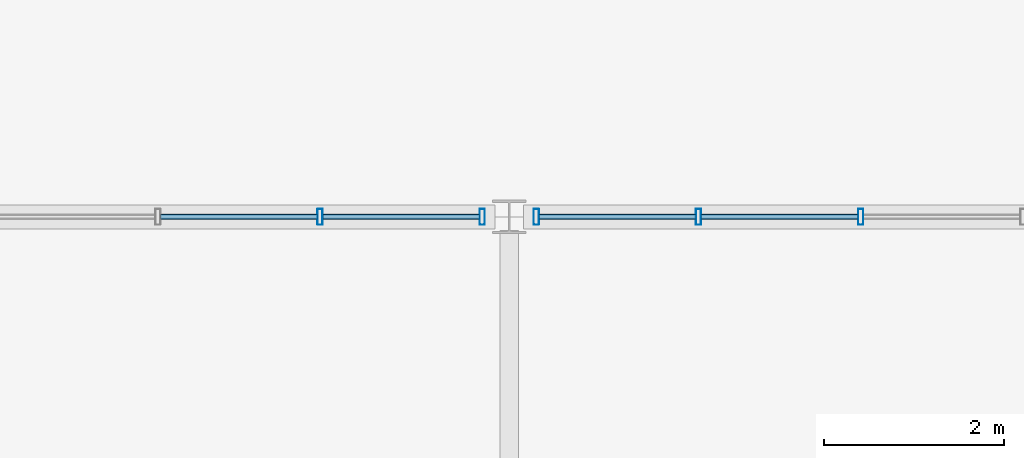
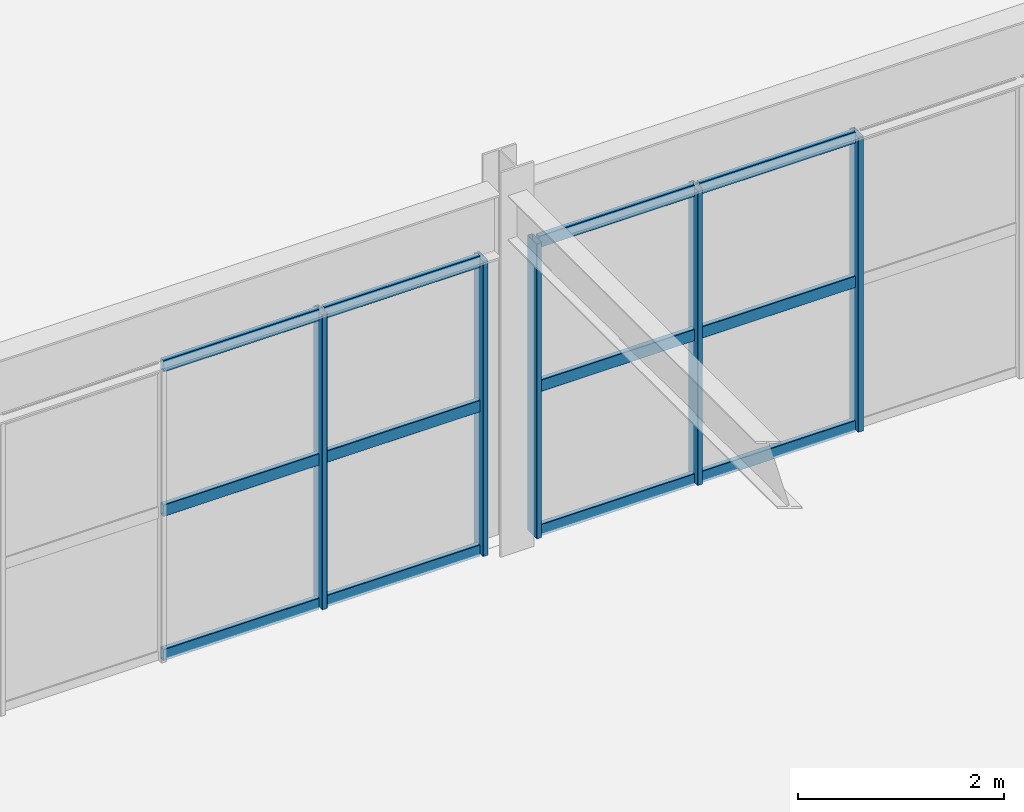
# One storey, part 102 of 170: 17 members, 2 elements without a shape of their own.
"""IFC4 building model written with IfcOpenShell, lengths in metres."""

from ifc_helpers import new_model, si_unit, direction, frame, origin, origin_2d, place, context, subcontext, project, spatial, hollow_rectangle, extrude, material, material_profile, profile_set, type_object, element, aggregate, save


model = new_model("IFC4")

# Units and contexts
model_context = context("Model", 3, precision=1e-05, world=origin(), true_north=direction((0.0, 1.0)))
body_context = subcontext(model_context, "Body", "Model", "MODEL_VIEW")
ifc_project = project(units=[si_unit("LENGTHUNIT", "METRE"), si_unit("AREAUNIT", "SQUARE_METRE"), si_unit("VOLUMEUNIT", "CUBIC_METRE"), si_unit("PLANEANGLEUNIT", "RADIAN"), si_unit("MASSUNIT", "GRAM", prefix="KILO")], contexts=[model_context])

# Site, building, storey
site_placement = place(None, origin())
site = spatial("IfcSite", under=ifc_project, at=site_placement, CompositionType="ELEMENT")
building_placement = place(site_placement, origin())
building = spatial("IfcBuilding", under=site, at=building_placement, Name="Coralgate Yard Interchange", CompositionType="ELEMENT")
storey_placement = place(building_placement, frame((0.0, 0.0, 6.0)))
storey = spatial("IfcBuildingStorey", under=building, at=storey_placement, Name="L01", CompositionType="ELEMENT", Elevation=6.0)

# Curtain wall, members
ifc_material_1 = material(Name="Anodised coastal aluminium and solar-control low-E glass", Category="aluminium")
curtain_wall_type = type_object("IfcCurtainWallType", Name="CW-CW-L01-B", PredefinedType="NOTDEFINED", material=ifc_material_1)
curtain_wall_1_placement = place(storey_placement, origin())
curtain_wall_1 = element("IfcCurtainWall", 1, at=curtain_wall_1_placement, inside=storey, type_object=curtain_wall_type, Name="L01 unitised curtain wall CW-L01-N-11-07", PredefinedType="NOTDEFINED")
ifc_material_2 = material(Name="Anodised coastal aluminium 6063-T6", Category="aluminium")
ifc_material_profile_1 = material_profile(ifc_material_2, hollow_rectangle(XDim=0.06005859375, YDim=0.179931640625, WallThickness=0.00390625, InnerFilletRadius=0.00390625, OuterFilletRadius=0.008056640625, at=origin_2d()), Name="ALU 60x180x4")
ifc_profile_set_1 = profile_set([ifc_material_profile_1], Name="Anodised coastal aluminium 6063-T6")
member_type_1 = type_object("IfcMemberType", Name="MB-MUL-180", PredefinedType="MULLION", material=ifc_profile_set_1)
member_1_placement = place(storey_placement, frame((113.10009765625, 76.800048828125, 0.0), z_axis=(0.0, 0.0, 1.0), x_axis=(1.0, 0.0, 0.0)))
member_1 = element("IfcMember", 2, at=member_1_placement, type_object=member_type_1, Name="CW-L01-N-11-07 vertical mullion 5", PredefinedType="MULLION", context=body_context, shape_type="SweptSolid", body=[
    extrude(hollow_rectangle(XDim=0.06005859375, YDim=0.179931640625, WallThickness=0.00390625, InnerFilletRadius=0.00390625, OuterFilletRadius=0.008056640625, at=origin_2d()), origin(), (0.0, 0.0, 1.0), 3.48779296875),
])
member_2_placement = place(storey_placement, frame((114.89990234375, 76.800048828125, 0.0), z_axis=(0.0, 0.0, 1.0), x_axis=(1.0, 0.0, 0.0)))
member_2 = element("IfcMember", 3, at=member_2_placement, type_object=member_type_1, Name="CW-L01-N-11-07 vertical mullion 6", PredefinedType="MULLION", context=body_context, shape_type="SweptSolid", body=[
    extrude(hollow_rectangle(XDim=0.06005859375, YDim=0.179931640625, WallThickness=0.00390625, InnerFilletRadius=0.00390625, OuterFilletRadius=0.008056640625, at=origin_2d()), origin(), (0.0, 0.0, 1.0), 3.48779296875),
])

curtain_wall_2_placement = place(storey_placement, origin())
curtain_wall_2 = element("IfcCurtainWall", 4, at=curtain_wall_2_placement, inside=storey, type_object=curtain_wall_type, Name="L01 unitised curtain wall CW-L01-N-12-07", PredefinedType="NOTDEFINED")
member_3_placement = place(storey_placement, frame((115.5, 76.800048828125, 0.0), z_axis=(0.0, 0.0, 1.0), x_axis=(1.0, 0.0, 0.0)))
member_3 = element("IfcMember", 5, at=member_3_placement, type_object=member_type_1, Name="CW-L01-N-12-07 vertical mullion 1", PredefinedType="MULLION", context=body_context, shape_type="SweptSolid", body=[
    extrude(hollow_rectangle(XDim=0.06005859375, YDim=0.179931640625, WallThickness=0.00390625, InnerFilletRadius=0.00390625, OuterFilletRadius=0.008056640625, at=origin_2d()), origin(), (0.0, 0.0, 1.0), 3.48779296875),
])
member_4_placement = place(storey_placement, frame((117.300048828125, 76.800048828125, 0.0), z_axis=(0.0, 0.0, 1.0), x_axis=(1.0, 0.0, 0.0)))
member_4 = element("IfcMember", 6, at=member_4_placement, type_object=member_type_1, Name="CW-L01-N-12-07 vertical mullion 2", PredefinedType="MULLION", context=body_context, shape_type="SweptSolid", body=[
    extrude(hollow_rectangle(XDim=0.06005859375, YDim=0.179931640625, WallThickness=0.00390625, InnerFilletRadius=0.00390625, OuterFilletRadius=0.008056640625, at=origin_2d()), origin(), (0.0, 0.0, 1.0), 3.48779296875),
])
member_5_placement = place(storey_placement, frame((119.10009765625, 76.800048828125, 0.0), z_axis=(0.0, 0.0, 1.0), x_axis=(1.0, 0.0, 0.0)))
member_5 = element("IfcMember", 7, at=member_5_placement, type_object=member_type_1, Name="CW-L01-N-12-07 vertical mullion 3", PredefinedType="MULLION", context=body_context, shape_type="SweptSolid", body=[
    extrude(hollow_rectangle(XDim=0.06005859375, YDim=0.179931640625, WallThickness=0.00390625, InnerFilletRadius=0.00390625, OuterFilletRadius=0.008056640625, at=origin_2d()), origin(), (0.0, 0.0, 1.0), 3.48779296875),
])

# Member
ifc_material_profile_2 = material_profile(ifc_material_2, hollow_rectangle(XDim=0.06005859375, YDim=0.139892578125, WallThickness=0.00341796875, InnerFilletRadius=0.00341796875, OuterFilletRadius=0.007080078125, at=origin_2d()), Name="ALU 60x140x3.5")
ifc_profile_set_2 = profile_set([ifc_material_profile_2], Name="Anodised coastal aluminium 6063-T6")
member_type_2 = type_object("IfcMemberType", Name="MB-TRN-140", PredefinedType="USERDEFINED", material=ifc_profile_set_2)
member_6_placement = place(storey_placement, frame((111.330078125, 76.800048828125, 0.034912109375), z_axis=(1.0, 0.0, 0.0), x_axis=(0.0, 1.0, 0.0)))
member_6 = element("IfcMember", 8, at=member_6_placement, type_object=member_type_2, Name="CW-L01-N-11-07 horizontal transom 4-1", ObjectType="TRANSOM", PredefinedType="USERDEFINED", context=body_context, shape_type="SweptSolid", body=[
    extrude(hollow_rectangle(XDim=0.06005859375, YDim=0.139892578125, WallThickness=0.00341796875, InnerFilletRadius=0.00341796875, OuterFilletRadius=0.007080078125, at=origin_2d()), origin(), (0.0, 0.0, 1.0), 1.739990234375),
])

member_7_placement = place(storey_placement, frame((111.330078125, 76.800048828125, 1.743896484375), z_axis=(1.0, 0.0, 0.0), x_axis=(0.0, 1.0, 0.0)))
member_7 = element("IfcMember", 9, at=member_7_placement, type_object=member_type_2, Name="CW-L01-N-11-07 horizontal transom 4-2", ObjectType="TRANSOM", PredefinedType="USERDEFINED", context=body_context, shape_type="SweptSolid", body=[
    extrude(hollow_rectangle(XDim=0.06005859375, YDim=0.139892578125, WallThickness=0.00341796875, InnerFilletRadius=0.00341796875, OuterFilletRadius=0.007080078125, at=origin_2d()), origin(), (0.0, 0.0, 1.0), 1.739990234375),
])

member_8_placement = place(storey_placement, frame((111.330078125, 76.800048828125, 3.452880859375), z_axis=(1.0, 0.0, 0.0), x_axis=(0.0, 1.0, 0.0)))
member_8 = element("IfcMember", 10, at=member_8_placement, type_object=member_type_2, Name="CW-L01-N-11-07 horizontal transom 4-3", ObjectType="TRANSOM", PredefinedType="USERDEFINED", context=body_context, shape_type="SweptSolid", body=[
    extrude(hollow_rectangle(XDim=0.06005859375, YDim=0.139892578125, WallThickness=0.00341796875, InnerFilletRadius=0.00341796875, OuterFilletRadius=0.007080078125, at=origin_2d()), origin(), (0.0, 0.0, 1.0), 1.739990234375),
])

member_9_placement = place(storey_placement, frame((113.1298828125, 76.800048828125, 0.034912109375), z_axis=(1.0, 0.0, 0.0), x_axis=(0.0, 1.0, 0.0)))
member_9 = element("IfcMember", 11, at=member_9_placement, type_object=member_type_2, Name="CW-L01-N-11-07 horizontal transom 5-1", ObjectType="TRANSOM", PredefinedType="USERDEFINED", context=body_context, shape_type="SweptSolid", body=[
    extrude(hollow_rectangle(XDim=0.06005859375, YDim=0.139892578125, WallThickness=0.00341796875, InnerFilletRadius=0.00341796875, OuterFilletRadius=0.007080078125, at=origin_2d()), origin(), (0.0, 0.0, 1.0), 1.740234375),
])

member_10_placement = place(storey_placement, frame((113.1298828125, 76.800048828125, 1.743896484375), z_axis=(1.0, 0.0, 0.0), x_axis=(0.0, 1.0, 0.0)))
member_10 = element("IfcMember", 12, at=member_10_placement, type_object=member_type_2, Name="CW-L01-N-11-07 horizontal transom 5-2", ObjectType="TRANSOM", PredefinedType="USERDEFINED", context=body_context, shape_type="SweptSolid", body=[
    extrude(hollow_rectangle(XDim=0.06005859375, YDim=0.139892578125, WallThickness=0.00341796875, InnerFilletRadius=0.00341796875, OuterFilletRadius=0.007080078125, at=origin_2d()), origin(), (0.0, 0.0, 1.0), 1.740234375),
])

member_11_placement = place(storey_placement, frame((113.1298828125, 76.800048828125, 3.452880859375), z_axis=(1.0, 0.0, 0.0), x_axis=(0.0, 1.0, 0.0)))
member_11 = element("IfcMember", 13, at=member_11_placement, type_object=member_type_2, Name="CW-L01-N-11-07 horizontal transom 5-3", ObjectType="TRANSOM", PredefinedType="USERDEFINED", context=body_context, shape_type="SweptSolid", body=[
    extrude(hollow_rectangle(XDim=0.06005859375, YDim=0.139892578125, WallThickness=0.00341796875, InnerFilletRadius=0.00341796875, OuterFilletRadius=0.007080078125, at=origin_2d()), origin(), (0.0, 0.0, 1.0), 1.740234375),
])

aggregate(curtain_wall_1, [member_1, member_2, member_6, member_7, member_8, member_9, member_10, member_11])

member_12_placement = place(storey_placement, frame((115.530029296875, 76.800048828125, 0.034912109375), z_axis=(1.0, 0.0, 0.0), x_axis=(0.0, 1.0, 0.0)))
member_12 = element("IfcMember", 14, at=member_12_placement, type_object=member_type_2, Name="CW-L01-N-12-07 horizontal transom 1-1", ObjectType="TRANSOM", PredefinedType="USERDEFINED", context=body_context, shape_type="SweptSolid", body=[
    extrude(hollow_rectangle(XDim=0.06005859375, YDim=0.139892578125, WallThickness=0.00341796875, InnerFilletRadius=0.00341796875, OuterFilletRadius=0.007080078125, at=origin_2d()), origin(), (0.0, 0.0, 1.0), 1.739990234375),
])

member_13_placement = place(storey_placement, frame((115.530029296875, 76.800048828125, 1.743896484375), z_axis=(1.0, 0.0, 0.0), x_axis=(0.0, 1.0, 0.0)))
member_13 = element("IfcMember", 15, at=member_13_placement, type_object=member_type_2, Name="CW-L01-N-12-07 horizontal transom 1-2", ObjectType="TRANSOM", PredefinedType="USERDEFINED", context=body_context, shape_type="SweptSolid", body=[
    extrude(hollow_rectangle(XDim=0.06005859375, YDim=0.139892578125, WallThickness=0.00341796875, InnerFilletRadius=0.00341796875, OuterFilletRadius=0.007080078125, at=origin_2d()), origin(), (0.0, 0.0, 1.0), 1.739990234375),
])

member_14_placement = place(storey_placement, frame((115.530029296875, 76.800048828125, 3.452880859375), z_axis=(1.0, 0.0, 0.0), x_axis=(0.0, 1.0, 0.0)))
member_14 = element("IfcMember", 16, at=member_14_placement, type_object=member_type_2, Name="CW-L01-N-12-07 horizontal transom 1-3", ObjectType="TRANSOM", PredefinedType="USERDEFINED", context=body_context, shape_type="SweptSolid", body=[
    extrude(hollow_rectangle(XDim=0.06005859375, YDim=0.139892578125, WallThickness=0.00341796875, InnerFilletRadius=0.00341796875, OuterFilletRadius=0.007080078125, at=origin_2d()), origin(), (0.0, 0.0, 1.0), 1.739990234375),
])

member_15_placement = place(storey_placement, frame((117.330078125, 76.800048828125, 0.034912109375), z_axis=(1.0, 0.0, 0.0), x_axis=(0.0, 1.0, 0.0)))
member_15 = element("IfcMember", 17, at=member_15_placement, type_object=member_type_2, Name="CW-L01-N-12-07 horizontal transom 2-1", ObjectType="TRANSOM", PredefinedType="USERDEFINED", context=body_context, shape_type="SweptSolid", body=[
    extrude(hollow_rectangle(XDim=0.06005859375, YDim=0.139892578125, WallThickness=0.00341796875, InnerFilletRadius=0.00341796875, OuterFilletRadius=0.007080078125, at=origin_2d()), origin(), (0.0, 0.0, 1.0), 1.739990234375),
])

member_16_placement = place(storey_placement, frame((117.330078125, 76.800048828125, 1.743896484375), z_axis=(1.0, 0.0, 0.0), x_axis=(0.0, 1.0, 0.0)))
member_16 = element("IfcMember", 18, at=member_16_placement, type_object=member_type_2, Name="CW-L01-N-12-07 horizontal transom 2-2", ObjectType="TRANSOM", PredefinedType="USERDEFINED", context=body_context, shape_type="SweptSolid", body=[
    extrude(hollow_rectangle(XDim=0.06005859375, YDim=0.139892578125, WallThickness=0.00341796875, InnerFilletRadius=0.00341796875, OuterFilletRadius=0.007080078125, at=origin_2d()), origin(), (0.0, 0.0, 1.0), 1.739990234375),
])

member_17_placement = place(storey_placement, frame((117.330078125, 76.800048828125, 3.452880859375), z_axis=(1.0, 0.0, 0.0), x_axis=(0.0, 1.0, 0.0)))
member_17 = element("IfcMember", 19, at=member_17_placement, type_object=member_type_2, Name="CW-L01-N-12-07 horizontal transom 2-3", ObjectType="TRANSOM", PredefinedType="USERDEFINED", context=body_context, shape_type="SweptSolid", body=[
    extrude(hollow_rectangle(XDim=0.06005859375, YDim=0.139892578125, WallThickness=0.00341796875, InnerFilletRadius=0.00341796875, OuterFilletRadius=0.007080078125, at=origin_2d()), origin(), (0.0, 0.0, 1.0), 1.739990234375),
])

aggregate(curtain_wall_2, [member_3, member_4, member_5, member_12, member_13, member_14, member_15, member_16, member_17])

save(model, "model.ifc")
